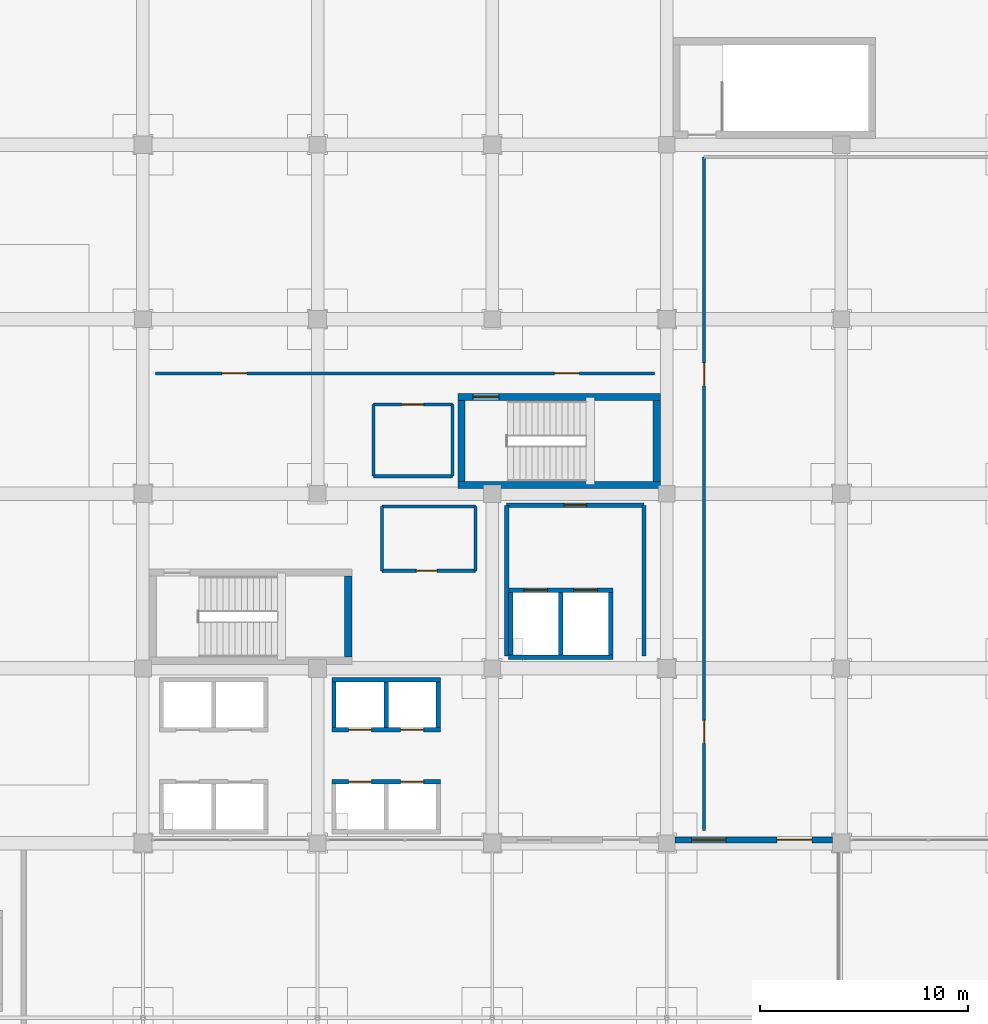
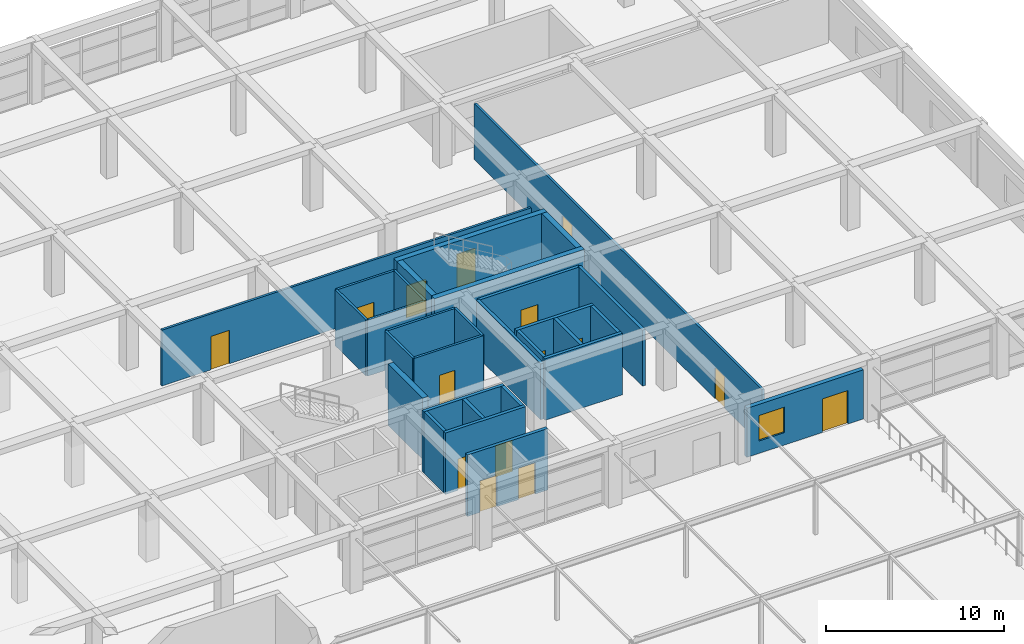
# One storey, part 79 of 85: 30 walls, 15 doors, 1 window, 16 openings.
"""IFC4 building model written with IfcOpenShell, lengths in metres."""

from ifc_helpers import new_model, si_unit, direction, frame, frame_2d, origin, place, context, subcontext, project, spatial, rectangle, extrude, material, layer, layer_set, type_object, element, fill, save


model = new_model("IFC4")

# Units and contexts
model_context = context("Model", 3, precision=1e-05, world=origin(), true_north=direction((0.0, 1.0)))
body_context = subcontext(model_context, "Body", "Model", "MODEL_VIEW")
ifc_project = project(units=[si_unit("LENGTHUNIT", "METRE"), si_unit("AREAUNIT", "SQUARE_METRE"), si_unit("VOLUMEUNIT", "CUBIC_METRE"), si_unit("PLANEANGLEUNIT", "RADIAN"), si_unit("MASSUNIT", "GRAM", prefix="KILO")], contexts=[model_context])

# Site, building, storey
site_placement = place(None, origin())
site = spatial("IfcSite", under=ifc_project, at=site_placement, CompositionType="ELEMENT")
building_placement = place(site_placement, origin())
building = spatial("IfcBuilding", under=site, at=building_placement, Name="Almacenes y Pasaje Nevantli", CompositionType="ELEMENT")
storey_placement = place(building_placement, frame((0.0, 0.0, 22.199951171875)))
storey = spatial("IfcBuildingStorey", under=building, at=storey_placement, Name="L05", CompositionType="ELEMENT", Elevation=22.199951171875)

# Wall, opening, door
ifc_material_1 = material(Name="Fire-Rated Concrete Blockwork", Category="masonry")
ifc_layer_1 = layer(ifc_material_1, 0.199951171875)
ifc_layer_set_1 = layer_set([ifc_layer_1], Name="Fire-Rated Concrete Blockwork")
wall_type_1 = type_object("IfcWallType", Name="WL-COMP-200", PredefinedType="PARTITIONING", material=ifc_layer_set_1)
wall_1_placement = place(storey_placement, frame((135.10009765625, 83.449951171875, 0.0), z_axis=(0.0, 0.0, 1.0), x_axis=(1.0, 0.0, 0.0)))
wall_1 = element("IfcWall", 1, at=wall_1_placement, inside=storey, type_object=wall_type_1, Name="L05 Interior Partition Wall IW-200 #96", PredefinedType="PARTITIONING", context=body_context, shape_type="SweptSolid", body=[
    extrude(rectangle(XDim=6.599853515625, YDim=0.199951171875, at=frame_2d((3.2998046875, 0.0))), origin(), (0.0, 0.0, 1.0), 3.840087890625),
])
opening_1_placement = place(wall_1_placement, frame((2.75, 0.0, 0.0)))
opening_1 = element("IfcOpeningElement", 2, at=opening_1_placement, cuts=wall_1, Name="Opening ID-L05-050", PredefinedType="OPENING", context=body_context, shape_type="SweptSolid", body=[
    extrude(rectangle(XDim=1.10009765625, YDim=2.199951171875, at=frame_2d((0.550048828125, 1.10009765625))), frame((0.0, 0.10986328125, 0.0), z_axis=(0.0, -1.0, 0.0), x_axis=(1.0, 0.0, 0.0)), (0.0, 0.0, 1.0), 0.219970703125),
])
ifc_material_2 = material(Name="Galvanized Fire-Rated Steel", Category="steel")
door_type_1 = type_object("IfcDoorType", Name="DR-FD90-1100R", OperationType="SINGLE_SWING_RIGHT", PredefinedType="DOOR", material=ifc_material_2)
door_1_placement = place(opening_1_placement, origin())
door_1 = element("IfcDoor", 3, at=door_1_placement, inside=storey, type_object=door_type_1, Name="L05 Firefighting Lobby Door", OperationType="SINGLE_SWING_RIGHT", OverallHeight=2.199951171875, OverallWidth=1.10009765625, PredefinedType="DOOR", context=body_context, shape_type="SweptSolid", body=[
    extrude(rectangle(XDim=1.10009765625, YDim=2.199951171875, at=frame_2d((0.550048828125, 1.10009765625))), frame((0.0, 0.02490234375, 0.0), z_axis=(0.0, -1.0, 0.0), x_axis=(1.0, 0.0, 0.0)), (0.0, 0.0, 1.0), 0.050048828125),
])
fill(opening_1, door_1)

# Walls
for number, where, z_axis, x_axis, name in (
    (4, (135.10009765625, 76.199951171875, 0.0), (0.0, 0.0, 1.0), (0.0, 1.0, 0.0), "L05 Interior Partition Wall IW-200 #97"),
    (5, (141.699951171875, 76.199951171875, 0.0), (0.0, 0.0, 1.0), (0.0, 1.0, 0.0), "L05 Interior Partition Wall IW-200 #98"),
):
    element("IfcWall", number, at=place(storey_placement, frame(where, z_axis=z_axis, x_axis=x_axis)), inside=storey, type_object=wall_type_1, Name=name, PredefinedType="PARTITIONING", context=body_context, shape_type="SweptSolid", body=[
        extrude(rectangle(XDim=7.25, YDim=0.199951171875, at=frame_2d((3.625, 0.0))), origin(), (0.0, 0.0, 1.0), 3.840087890625),
    ])
ifc_material_3 = material(Name="Concrete C45/55", Category="concrete")
ifc_layer_2 = layer(ifc_material_3, 0.35009765625)
ifc_layer_set_2 = layer_set([ifc_layer_2], Name="Concrete C45/55")
wall_type_2 = type_object("IfcWallType", Name="WL-CORE-350", PredefinedType="SHEAR", material=ifc_layer_set_2)
wall_2_placement = place(storey_placement, frame((127.47509765625, 76.14990234375, 0.0), z_axis=(0.0, 0.0, 1.0), x_axis=(0.0, 1.0, 0.0)))
element("IfcWall", 6, at=wall_2_placement, inside=storey, type_object=wall_type_2, Name="L05 Exit Stair ST-01 East Core Shear Wall", PredefinedType="SHEAR", context=body_context, shape_type="SweptSolid", body=[
    extrude(rectangle(XDim=3.89013671875, YDim=0.35009765625, at=frame_2d((1.945068359375, 0.0))), origin(), (0.0, 0.0, 1.0), 4.219970703125),
])
wall_3_placement = place(storey_placement, frame((132.75, 84.425048828125, 0.0), z_axis=(0.0, 0.0, 1.0), x_axis=(1.0, 0.0, 0.0)))
element("IfcWall", 7, at=wall_3_placement, inside=storey, type_object=wall_type_2, Name="L05 Exit Stair ST-02 South Core Shear Wall", PredefinedType="SHEAR", context=body_context, shape_type="SweptSolid", body=[
    extrude(rectangle(XDim=9.75, YDim=0.35009765625, at=frame_2d((4.875, 0.0))), origin(), (0.0, 0.0, 1.0), 4.219970703125),
])

# Wall, opening, door
wall_4_placement = place(storey_placement, frame((132.75, 88.6650390625, 0.0), z_axis=(0.0, 0.0, 1.0), x_axis=(1.0, 0.0, 0.0)))
wall_4 = element("IfcWall", 8, at=wall_4_placement, inside=storey, type_object=wall_type_2, Name="L05 Exit Stair ST-02 North Core Shear Wall", PredefinedType="SHEAR", context=body_context, shape_type="SweptSolid", body=[
    extrude(rectangle(XDim=9.75, YDim=0.35009765625, at=frame_2d((4.875, 0.0))), origin(), (0.0, 0.0, 1.0), 4.219970703125),
])
opening_2_placement = place(wall_4_placement, frame((0.719970703125, 0.0, 0.0)))
opening_2 = element("IfcOpeningElement", 9, at=opening_2_placement, cuts=wall_4, Name="Opening SD-02-L05", PredefinedType="OPENING", context=body_context, shape_type="SweptSolid", body=[
    extrude(rectangle(XDim=1.25, YDim=2.199951171875, at=frame_2d((0.625, 1.10009765625))), frame((0.0, 0.18505859375, 0.0), z_axis=(0.0, -1.0, 0.0), x_axis=(1.0, 0.0, 0.0)), (0.0, 0.0, 1.0), 0.3701171875),
])
ifc_material_4 = material(Name="Galvanized Fire-Rated Steel", Category="steel")
door_type_2 = type_object("IfcDoorType", Name="DR-STAIR-1250R", OperationType="SINGLE_SWING_RIGHT", PredefinedType="DOOR", material=ifc_material_4)
door_2_placement = place(opening_2_placement, origin())
door_2 = element("IfcDoor", 10, at=door_2_placement, inside=storey, type_object=door_type_2, Name="L05 Smokeproof Exit Stair ST-02 Fire Door", OperationType="SINGLE_SWING_RIGHT", OverallHeight=2.199951171875, OverallWidth=1.25, PredefinedType="DOOR", context=body_context, shape_type="SweptSolid", body=[
    extrude(rectangle(XDim=1.25, YDim=2.199951171875, at=frame_2d((0.625, 1.10009765625))), frame((0.0, 0.02490234375, 0.0), z_axis=(0.0, -1.0, 0.0), x_axis=(1.0, 0.0, 0.0)), (0.0, 0.0, 1.0), 0.050048828125),
])
fill(opening_2, door_2)

# Walls
for number, where, z_axis, x_axis, name in (
    (11, (132.925048828125, 84.60009765625, 0.0), (0.0, 0.0, 1.0), (0.0, 1.0, 0.0), "L05 Exit Stair ST-02 West Core Shear Wall"),
    (12, (142.324951171875, 84.60009765625, 0.0), (0.0, 0.0, 1.0), (0.0, 1.0, 0.0), "L05 Exit Stair ST-02 East Core Shear Wall"),
):
    element("IfcWall", number, at=place(storey_placement, frame(where, z_axis=z_axis, x_axis=x_axis)), inside=storey, type_object=wall_type_2, Name=name, PredefinedType="SHEAR", context=body_context, shape_type="SweptSolid", body=[
        extrude(rectangle(XDim=3.889892578125, YDim=0.35009765625, at=frame_2d((1.94482421875, 0.0))), origin(), (0.0, 0.0, 1.0), 4.219970703125),
    ])

# Wall, openings, door, window
ifc_material_5 = material(Name="Architectural Precast Concrete C35/45 Spandrel Wall", Category="concrete")
ifc_layer_3 = layer(ifc_material_5, 0.280029296875)
ifc_layer_set_3 = layer_set([ifc_layer_3], Name="Architectural Precast Concrete C35/45 Spandrel Wall")
wall_type_3 = type_object("IfcWallType", Name="WL-EXT-CANTERA-280", PredefinedType="SOLIDWALL", material=ifc_layer_set_3)
wall_5_placement = place(storey_placement, frame((143.2041015625, 67.35009765625, 0.0), z_axis=(0.0, 0.0, 1.0), x_axis=(1.0, 0.0, 0.0)))
wall_5 = element("IfcWall", 13, at=wall_5_placement, inside=storey, type_object=wall_type_3, Name="L05 Sky-Lobby South Terrace Access Wall Bay 18", PredefinedType="SOLIDWALL", context=body_context, shape_type="SweptSolid", body=[
    extrude(rectangle(XDim=7.56787109375, YDim=0.280029296875, at=frame_2d((3.783935546875, 0.0))), origin(), (0.0, 0.0, 1.0), 3.3701171875),
])
opening_3_placement = place(wall_5_placement, frame((0.7958984375, 0.0, 0.85009765625)))
opening_3 = element("IfcOpeningElement", 14, at=opening_3_placement, cuts=wall_5, Name="Opening WT-33-184", PredefinedType="OPENING", context=body_context, shape_type="SweptSolid", body=[
    extrude(rectangle(XDim=1.64990234375, YDim=1.75, at=frame_2d((0.824951171875, 0.875))), frame((0.0, 0.14990234375, 0.0), z_axis=(0.0, -1.0, 0.0), x_axis=(1.0, 0.0, 0.0)), (0.0, 0.0, 1.0), 0.300048828125),
])
opening_4_placement = place(wall_5_placement, frame((4.89599609375, 0.0, 0.0)))
opening_4 = element("IfcOpeningElement", 15, at=opening_4_placement, cuts=wall_5, Name="Opening ED-L05-039", PredefinedType="OPENING", context=body_context, shape_type="SweptSolid", body=[
    extrude(rectangle(XDim=1.679931640625, YDim=2.300048828125, at=frame_2d((0.83984375, 1.14990234375))), frame((0.0, 0.14990234375, 0.0), z_axis=(0.0, -1.0, 0.0), x_axis=(1.0, 0.0, 0.0)), (0.0, 0.0, 1.0), 0.300048828125),
])
ifc_material_6 = material(Name="Anodized Aluminium and Safety Glass", Category="aluminium")
door_type_3 = type_object("IfcDoorType", Name="DR-EXT-TER-1680", OperationType="DOUBLE_DOOR_SINGLE_SWING", PredefinedType="DOOR", material=ifc_material_6)
door_3_placement = place(opening_4_placement, origin())
door_3 = element("IfcDoor", 16, at=door_3_placement, inside=storey, type_object=door_type_3, Name="L05 Sky-Lobby to Ziggurat Roof Terrace Door #2", OperationType="DOUBLE_DOOR_SINGLE_SWING", OverallHeight=2.300048828125, OverallWidth=1.679931640625, PredefinedType="DOOR", context=body_context, shape_type="SweptSolid", body=[
    extrude(rectangle(XDim=1.679931640625, YDim=2.300048828125, at=frame_2d((0.83984375, 1.14990234375))), frame((0.0, 0.02490234375, 0.0), z_axis=(0.0, -1.0, 0.0), x_axis=(1.0, 0.0, 0.0)), (0.0, 0.0, 1.0), 0.050048828125),
])
fill(opening_4, door_3)
ifc_material_7 = material(Name="Thermally Broken Aluminium and Low-E Double Glazing", Category="aluminium")
window_type = type_object("IfcWindowType", Name="WN-TWR-1650x1750", PartitioningType="SINGLE_PANEL", PredefinedType="WINDOW", material=ifc_material_7)
window_placement = place(opening_3_placement, origin())
window = element("IfcWindow", 17, at=window_placement, inside=storey, type_object=window_type, Name="L05 Exterior Window WT-33 #184", OverallHeight=1.75, OverallWidth=1.64990234375, PartitioningType="SINGLE_PANEL", PredefinedType="WINDOW", context=body_context, shape_type="SweptSolid", body=[
    extrude(rectangle(XDim=1.64990234375, YDim=1.75, at=frame_2d((0.824951171875, 0.875))), frame((0.0, 0.030029296875, 0.0), z_axis=(0.0, -1.0, 0.0), x_axis=(1.0, 0.0, 0.0)), (0.0, 0.0, 1.0), 0.06005859375),
])
fill(opening_3, window)

# Wall, opening, door
ifc_material_8 = material(Name="Acoustic Steel-Stud Gypsum Partition", Category="steel")
ifc_layer_4 = layer(ifc_material_8, 0.14990234375)
ifc_layer_set_4 = layer_set([ifc_layer_4], Name="Acoustic Steel-Stud Gypsum Partition")
wall_type_4 = type_object("IfcWallType", Name="WL-PART-150", PredefinedType="PARTITIONING", material=ifc_layer_set_4)
wall_6_placement = place(storey_placement, frame((129.10009765625, 80.300048828125, 0.0), z_axis=(0.0, 0.0, 1.0), x_axis=(1.0, 0.0, 0.0)))
wall_6 = element("IfcWall", 18, at=wall_6_placement, inside=storey, type_object=wall_type_4, Name="L05 Interior Partition Wall IW-150 #99", PredefinedType="PARTITIONING", context=body_context, shape_type="SweptSolid", body=[
    extrude(rectangle(XDim=4.5, YDim=0.14990234375, at=frame_2d((2.25, 0.0))), origin(), (0.0, 0.0, 1.0), 3.840087890625),
])
opening_5_placement = place(wall_6_placement, frame((1.64990234375, 0.0, 0.0)))
opening_5 = element("IfcOpeningElement", 19, at=opening_5_placement, cuts=wall_6, Name="Opening ID-L05-051", PredefinedType="OPENING", context=body_context, shape_type="SweptSolid", body=[
    extrude(rectangle(XDim=1.0, YDim=2.10009765625, at=frame_2d((0.5, 1.050048828125))), frame((0.0, 0.0849609375, 0.0), z_axis=(0.0, -1.0, 0.0), x_axis=(1.0, 0.0, 0.0)), (0.0, 0.0, 1.0), 0.169921875),
])
ifc_material_9 = material(Name="Powder-Coated Hollow Metal", Category="steel")
door_type_4 = type_object("IfcDoorType", Name="DR-INT-1000", OperationType="SINGLE_SWING_LEFT", PredefinedType="DOOR", material=ifc_material_9)
door_4_placement = place(opening_5_placement, origin())
door_4 = element("IfcDoor", 20, at=door_4_placement, inside=storey, type_object=door_type_4, Name="L05 Staff and Public WC Door", OperationType="SINGLE_SWING_LEFT", OverallHeight=2.10009765625, OverallWidth=1.0, PredefinedType="DOOR", context=body_context, shape_type="SweptSolid", body=[
    extrude(rectangle(XDim=1.0, YDim=2.10009765625, at=frame_2d((0.5, 1.050048828125))), frame((0.0, 0.02490234375, 0.0), z_axis=(0.0, -1.0, 0.0), x_axis=(1.0, 0.0, 0.0)), (0.0, 0.0, 1.0), 0.050048828125),
])
fill(opening_5, door_4)

# Walls
wall_7_placement = place(storey_placement, frame((129.10009765625, 83.39990234375, 0.0), z_axis=(0.0, 0.0, 1.0), x_axis=(1.0, 0.0, 0.0)))
element("IfcWall", 21, at=wall_7_placement, inside=storey, type_object=wall_type_4, Name="L05 Interior Partition Wall IW-150 #100", PredefinedType="PARTITIONING", context=body_context, shape_type="SweptSolid", body=[
    extrude(rectangle(XDim=4.5, YDim=0.14990234375, at=frame_2d((2.25, 0.0))), origin(), (0.0, 0.0, 1.0), 3.840087890625),
])
for number, where, z_axis, x_axis, name in (
    (22, (129.10009765625, 80.300048828125, 0.0), (0.0, 0.0, 1.0), (0.0, 1.0, 0.0), "L05 Interior Partition Wall IW-150 #101"),
    (23, (133.60009765625, 80.300048828125, 0.0), (0.0, 0.0, 1.0), (0.0, 1.0, 0.0), "L05 Interior Partition Wall IW-150 #102"),
):
    element("IfcWall", number, at=place(storey_placement, frame(where, z_axis=z_axis, x_axis=x_axis)), inside=storey, type_object=wall_type_4, Name=name, PredefinedType="PARTITIONING", context=body_context, shape_type="SweptSolid", body=[
        extrude(rectangle(XDim=3.099853515625, YDim=0.14990234375, at=frame_2d((1.5498046875, 0.0))), origin(), (0.0, 0.0, 1.0), 3.840087890625),
    ])

# Wall, opening, door
wall_8_placement = place(storey_placement, frame((128.699951171875, 88.300048828125, 0.0), z_axis=(0.0, 0.0, 1.0), x_axis=(1.0, 0.0, 0.0)))
wall_8 = element("IfcWall", 24, at=wall_8_placement, inside=storey, type_object=wall_type_4, Name="L05 Interior Partition Wall IW-150 #103", PredefinedType="PARTITIONING", context=body_context, shape_type="SweptSolid", body=[
    extrude(rectangle(XDim=3.800048828125, YDim=0.14990234375, at=frame_2d((1.89990234375, 0.0))), origin(), (0.0, 0.0, 1.0), 3.840087890625),
])
opening_6_placement = place(wall_8_placement, frame((1.35009765625, 0.0, 0.0)))
opening_6 = element("IfcOpeningElement", 25, at=opening_6_placement, cuts=wall_8, Name="Opening ID-L05-052", PredefinedType="OPENING", context=body_context, shape_type="SweptSolid", body=[
    extrude(rectangle(XDim=1.050048828125, YDim=2.14990234375, at=frame_2d((0.52490234375, 1.074951171875))), frame((0.0, 0.0849609375, 0.0), z_axis=(0.0, -1.0, 0.0), x_axis=(1.0, 0.0, 0.0)), (0.0, 0.0, 1.0), 0.169921875),
])
ifc_material_10 = material(Name="Powder-Coated Hollow Metal", Category="steel")
door_type_5 = type_object("IfcDoorType", Name="DR-ACC-1050", OperationType="SINGLE_SWING_RIGHT", PredefinedType="DOOR", material=ifc_material_10)
door_5_placement = place(opening_6_placement, origin())
door_5 = element("IfcDoor", 26, at=door_5_placement, inside=storey, type_object=door_type_5, Name="L05 Accessible WC Door", OperationType="SINGLE_SWING_RIGHT", OverallHeight=2.14990234375, OverallWidth=1.050048828125, PredefinedType="DOOR", context=body_context, shape_type="SweptSolid", body=[
    extrude(rectangle(XDim=1.050048828125, YDim=2.14990234375, at=frame_2d((0.52490234375, 1.074951171875))), frame((0.0, 0.02490234375, 0.0), z_axis=(0.0, -1.0, 0.0), x_axis=(1.0, 0.0, 0.0)), (0.0, 0.0, 1.0), 0.050048828125),
])
fill(opening_6, door_5)

# Walls
wall_9_placement = place(storey_placement, frame((128.699951171875, 84.85009765625, 0.0), z_axis=(0.0, 0.0, 1.0), x_axis=(1.0, 0.0, 0.0)))
element("IfcWall", 27, at=wall_9_placement, inside=storey, type_object=wall_type_4, Name="L05 Interior Partition Wall IW-150 #104", PredefinedType="PARTITIONING", context=body_context, shape_type="SweptSolid", body=[
    extrude(rectangle(XDim=3.800048828125, YDim=0.14990234375, at=frame_2d((1.89990234375, 0.0))), origin(), (0.0, 0.0, 1.0), 3.840087890625),
])
for number, where, z_axis, x_axis, name in (
    (28, (128.699951171875, 84.85009765625, 0.0), (0.0, 0.0, 1.0), (0.0, 1.0, 0.0), "L05 Interior Partition Wall IW-150 #105"),
    (29, (132.5, 84.85009765625, 0.0), (0.0, 0.0, 1.0), (0.0, 1.0, 0.0), "L05 Interior Partition Wall IW-150 #106"),
):
    element("IfcWall", number, at=place(storey_placement, frame(where, z_axis=z_axis, x_axis=x_axis)), inside=storey, type_object=wall_type_4, Name=name, PredefinedType="PARTITIONING", context=body_context, shape_type="SweptSolid", body=[
        extrude(rectangle(XDim=3.449951171875, YDim=0.14990234375, at=frame_2d((1.72509765625, 0.0))), origin(), (0.0, 0.0, 1.0), 3.840087890625),
    ])

# Wall, openings, doors
wall_10_placement = place(storey_placement, frame((118.199951171875, 89.800048828125, 0.0), z_axis=(0.0, 0.0, 1.0), x_axis=(1.0, 0.0, 0.0)))
wall_10 = element("IfcWall", 30, at=wall_10_placement, inside=storey, type_object=wall_type_4, Name="L05 Interior Partition Wall IW-150 #110", PredefinedType="PARTITIONING", context=body_context, shape_type="SweptSolid", body=[
    extrude(rectangle(XDim=24.0, YDim=0.14990234375, at=frame_2d((12.0, 0.0))), origin(), (0.0, 0.0, 1.0), 3.840087890625),
])
opening_7_placement = place(wall_10_placement, frame((3.199951171875, 0.0, 0.0)))
opening_7 = element("IfcOpeningElement", 31, at=opening_7_placement, cuts=wall_10, Name="Opening ID-L05-057", PredefinedType="OPENING", context=body_context, shape_type="SweptSolid", body=[
    extrude(rectangle(XDim=1.199951171875, YDim=2.300048828125, at=frame_2d((0.60009765625, 1.14990234375))), frame((0.0, 0.0849609375, 0.0), z_axis=(0.0, -1.0, 0.0), x_axis=(1.0, 0.0, 0.0)), (0.0, 0.0, 1.0), 0.169921875),
])
opening_8_placement = place(wall_10_placement, frame((19.199951171875, 0.0, 0.0)))
opening_8 = element("IfcOpeningElement", 32, at=opening_8_placement, cuts=wall_10, Name="Opening ID-L05-058", PredefinedType="OPENING", context=body_context, shape_type="SweptSolid", body=[
    extrude(rectangle(XDim=1.199951171875, YDim=2.300048828125, at=frame_2d((0.60009765625, 1.14990234375))), frame((0.0, 0.0849609375, 0.0), z_axis=(0.0, -1.0, 0.0), x_axis=(1.0, 0.0, 0.0)), (0.0, 0.0, 1.0), 0.169921875),
])
ifc_material_11 = material(Name="Anodized Aluminium and Tempered Acoustic Glass", Category="aluminium")
door_type_6 = type_object("IfcDoorType", Name="DR-ACU-1200", OperationType="SINGLE_SWING_LEFT", PredefinedType="DOOR", material=ifc_material_11)
door_6_placement = place(opening_7_placement, origin())
door_6 = element("IfcDoor", 33, at=door_6_placement, inside=storey, type_object=door_type_6, Name="L05 Conference Xinantecatl Door 1", OperationType="SINGLE_SWING_LEFT", OverallHeight=2.300048828125, OverallWidth=1.199951171875, PredefinedType="DOOR", context=body_context, shape_type="SweptSolid", body=[
    extrude(rectangle(XDim=1.199951171875, YDim=2.300048828125, at=frame_2d((0.60009765625, 1.14990234375))), frame((0.0, 0.02490234375, 0.0), z_axis=(0.0, -1.0, 0.0), x_axis=(1.0, 0.0, 0.0)), (0.0, 0.0, 1.0), 0.050048828125),
])
fill(opening_7, door_6)
ifc_material_12 = material(Name="Anodized Aluminium and Tempered Acoustic Glass", Category="aluminium")
door_type_7 = type_object("IfcDoorType", Name="DR-ACU-1200R", OperationType="SINGLE_SWING_RIGHT", PredefinedType="DOOR", material=ifc_material_12)
door_7_placement = place(opening_8_placement, origin())
door_7 = element("IfcDoor", 34, at=door_7_placement, inside=storey, type_object=door_type_7, Name="L05 Conference Xinantecatl Door 2", OperationType="SINGLE_SWING_RIGHT", OverallHeight=2.300048828125, OverallWidth=1.199951171875, PredefinedType="DOOR", context=body_context, shape_type="SweptSolid", body=[
    extrude(rectangle(XDim=1.199951171875, YDim=2.300048828125, at=frame_2d((0.60009765625, 1.14990234375))), frame((0.0, 0.02490234375, 0.0), z_axis=(0.0, -1.0, 0.0), x_axis=(1.0, 0.0, 0.0)), (0.0, 0.0, 1.0), 0.050048828125),
])
fill(opening_8, door_7)

wall_11_placement = place(storey_placement, frame((144.60009765625, 67.800048828125, 0.0), z_axis=(0.0, 0.0, 1.0), x_axis=(0.0, 1.0, 0.0)))
wall_11 = element("IfcWall", 35, at=wall_11_placement, inside=storey, type_object=wall_type_4, Name="L05 Interior Partition Wall IW-150 #111", PredefinedType="PARTITIONING", context=body_context, shape_type="SweptSolid", body=[
    extrude(rectangle(XDim=32.39990234375, YDim=0.14990234375, at=frame_2d((16.199951171875, 0.0))), origin(), (0.0, 0.0, 1.0), 3.840087890625),
])
opening_9_placement = place(wall_11_placement, frame((4.199951171875, 0.0, 0.0)))
opening_9 = element("IfcOpeningElement", 36, at=opening_9_placement, cuts=wall_11, Name="Opening ID-L05-059", PredefinedType="OPENING", context=body_context, shape_type="SweptSolid", body=[
    extrude(rectangle(XDim=1.10009765625, YDim=2.14990234375, at=frame_2d((0.550048828125, 1.074951171875))), frame((0.0, 0.0849609375, 0.0), z_axis=(0.0, -1.0, 0.0), x_axis=(1.0, 0.0, 0.0)), (0.0, 0.0, 1.0), 0.169921875),
])
opening_10_placement = place(wall_11_placement, frame((21.39990234375, 0.0, 0.0)))
opening_10 = element("IfcOpeningElement", 37, at=opening_10_placement, cuts=wall_11, Name="Opening ID-L05-060", PredefinedType="OPENING", context=body_context, shape_type="SweptSolid", body=[
    extrude(rectangle(XDim=1.10009765625, YDim=2.14990234375, at=frame_2d((0.550048828125, 1.074951171875))), frame((0.0, 0.0849609375, 0.0), z_axis=(0.0, -1.0, 0.0), x_axis=(1.0, 0.0, 0.0)), (0.0, 0.0, 1.0), 0.169921875),
])
ifc_material_13 = material(Name="Powder-Coated Hollow Metal", Category="steel")
door_type_8 = type_object("IfcDoorType", Name="DR-INT-1100", OperationType="SINGLE_SWING_LEFT", PredefinedType="DOOR", material=ifc_material_13)
door_8_placement = place(opening_9_placement, origin())
door_8 = element("IfcDoor", 38, at=door_8_placement, inside=storey, type_object=door_type_8, Name="L05 Training Office South Door", OperationType="SINGLE_SWING_LEFT", OverallHeight=2.14990234375, OverallWidth=1.10009765625, PredefinedType="DOOR", context=body_context, shape_type="SweptSolid", body=[
    extrude(rectangle(XDim=1.10009765625, YDim=2.14990234375, at=frame_2d((0.550048828125, 1.074951171875))), frame((0.0, 0.02490234375, 0.0), z_axis=(0.0, -1.0, 0.0), x_axis=(1.0, 0.0, 0.0)), (0.0, 0.0, 1.0), 0.050048828125),
])
fill(opening_9, door_8)
ifc_material_14 = material(Name="Powder-Coated Hollow Metal", Category="steel")
door_type_9 = type_object("IfcDoorType", Name="DR-INT-1100R", OperationType="SINGLE_SWING_RIGHT", PredefinedType="DOOR", material=ifc_material_14)
door_9_placement = place(opening_10_placement, origin())
door_9 = element("IfcDoor", 39, at=door_9_placement, inside=storey, type_object=door_type_9, Name="L05 Training Office North Door", OperationType="SINGLE_SWING_RIGHT", OverallHeight=2.14990234375, OverallWidth=1.10009765625, PredefinedType="DOOR", context=body_context, shape_type="SweptSolid", body=[
    extrude(rectangle(XDim=1.10009765625, YDim=2.14990234375, at=frame_2d((0.550048828125, 1.074951171875))), frame((0.0, 0.02490234375, 0.0), z_axis=(0.0, -1.0, 0.0), x_axis=(1.0, 0.0, 0.0)), (0.0, 0.0, 1.0), 0.050048828125),
])
fill(opening_10, door_9)

ifc_material_15 = material(Name="Concrete C45/55", Category="concrete")
ifc_layer_5 = layer(ifc_material_15, 0.2099609375)
ifc_layer_set_5 = layer_set([ifc_layer_5], Name="Concrete C45/55")
wall_type_5 = type_object("IfcWallType", Name="WL-SHAFT-210", PredefinedType="SHEAR", material=ifc_layer_set_5)
wall_12_placement = place(storey_placement, frame((126.68994140625, 70.155029296875, 0.0), z_axis=(0.0, 0.0, 1.0), x_axis=(1.0, 0.0, 0.0)))
wall_12 = element("IfcWall", 40, at=wall_12_placement, inside=storey, type_object=wall_type_5, Name="L05 Lift Hoistway ELV-P01-ELV-P02 North Wall", PredefinedType="SHEAR", context=body_context, shape_type="SweptSolid", body=[
    extrude(rectangle(XDim=5.219970703125, YDim=0.2099609375, at=frame_2d((2.60986328125, 0.0))), origin(), (0.0, 0.0, 1.0), 4.219970703125),
])
opening_11_placement = place(wall_12_placement, frame((0.81005859375, 0.0, 0.0)))
opening_11 = element("IfcOpeningElement", 41, at=opening_11_placement, cuts=wall_12, Name="Opening LD-P01-L05", PredefinedType="OPENING", context=body_context, shape_type="SweptSolid", body=[
    extrude(rectangle(XDim=1.10009765625, YDim=2.14990234375, at=frame_2d((0.550048828125, 1.074951171875))), frame((0.0, 0.114990234375, 0.0), z_axis=(0.0, -1.0, 0.0), x_axis=(1.0, 0.0, 0.0)), (0.0, 0.0, 1.0), 0.22998046875),
])
opening_12_placement = place(wall_12_placement, frame((3.31005859375, 0.0, 0.0)))
opening_12 = element("IfcOpeningElement", 42, at=opening_12_placement, cuts=wall_12, Name="Opening LD-P02-L05", PredefinedType="OPENING", context=body_context, shape_type="SweptSolid", body=[
    extrude(rectangle(XDim=1.10009765625, YDim=2.14990234375, at=frame_2d((0.550048828125, 1.074951171875))), frame((0.0, 0.114990234375, 0.0), z_axis=(0.0, -1.0, 0.0), x_axis=(1.0, 0.0, 0.0)), (0.0, 0.0, 1.0), 0.22998046875),
])
ifc_material_16 = material(Name="Brushed Stainless Steel", Category="steel")
door_type_10 = type_object("IfcDoorType", Name="DR-LD-PASS-1100", OperationType="DOUBLE_DOOR_SLIDING", PredefinedType="DOOR", material=ifc_material_16)
door_10_placement = place(opening_11_placement, origin())
door_10 = element("IfcDoor", 43, at=door_10_placement, inside=storey, type_object=door_type_10, Name="Lift Landing Door ELV-P01 L05", OperationType="DOUBLE_DOOR_SLIDING", OverallHeight=2.14990234375, OverallWidth=1.10009765625, PredefinedType="DOOR", context=body_context, shape_type="SweptSolid", body=[
    extrude(rectangle(XDim=1.10009765625, YDim=2.14990234375, at=frame_2d((0.550048828125, 1.074951171875))), frame((0.0, 0.02490234375, 0.0), z_axis=(0.0, -1.0, 0.0), x_axis=(1.0, 0.0, 0.0)), (0.0, 0.0, 1.0), 0.050048828125),
])
fill(opening_11, door_10)
door_11_placement = place(opening_12_placement, origin())
door_11 = element("IfcDoor", 44, at=door_11_placement, inside=storey, type_object=door_type_10, Name="Lift Landing Door ELV-P02 L05", OperationType="DOUBLE_DOOR_SLIDING", OverallHeight=2.14990234375, OverallWidth=1.10009765625, PredefinedType="DOOR", context=body_context, shape_type="SweptSolid", body=[
    extrude(rectangle(XDim=1.10009765625, YDim=2.14990234375, at=frame_2d((0.550048828125, 1.074951171875))), frame((0.0, 0.02490234375, 0.0), z_axis=(0.0, -1.0, 0.0), x_axis=(1.0, 0.0, 0.0)), (0.0, 0.0, 1.0), 0.050048828125),
])
fill(opening_12, door_11)

wall_13_placement = place(storey_placement, frame((126.68994140625, 72.64501953125, 0.0), z_axis=(0.0, 0.0, 1.0), x_axis=(1.0, 0.0, 0.0)))
wall_13 = element("IfcWall", 45, at=wall_13_placement, inside=storey, type_object=wall_type_5, Name="L05 Lift Hoistway ELV-P03-ELV-P04 South Wall", PredefinedType="SHEAR", context=body_context, shape_type="SweptSolid", body=[
    extrude(rectangle(XDim=5.219970703125, YDim=0.2099609375, at=frame_2d((2.60986328125, 0.0))), origin(), (0.0, 0.0, 1.0), 4.219970703125),
])
opening_13_placement = place(wall_13_placement, frame((0.81005859375, 0.0, 0.0)))
opening_13 = element("IfcOpeningElement", 46, at=opening_13_placement, cuts=wall_13, Name="Opening LD-P03-L05", PredefinedType="OPENING", context=body_context, shape_type="SweptSolid", body=[
    extrude(rectangle(XDim=1.10009765625, YDim=2.14990234375, at=frame_2d((0.550048828125, 1.074951171875))), frame((0.0, 0.114990234375, 0.0), z_axis=(0.0, -1.0, 0.0), x_axis=(1.0, 0.0, 0.0)), (0.0, 0.0, 1.0), 0.22998046875),
])
opening_14_placement = place(wall_13_placement, frame((3.31005859375, 0.0, 0.0)))
opening_14 = element("IfcOpeningElement", 47, at=opening_14_placement, cuts=wall_13, Name="Opening LD-P04-L05", PredefinedType="OPENING", context=body_context, shape_type="SweptSolid", body=[
    extrude(rectangle(XDim=1.10009765625, YDim=2.14990234375, at=frame_2d((0.550048828125, 1.074951171875))), frame((0.0, 0.114990234375, 0.0), z_axis=(0.0, -1.0, 0.0), x_axis=(1.0, 0.0, 0.0)), (0.0, 0.0, 1.0), 0.22998046875),
])
door_12_placement = place(opening_13_placement, origin())
door_12 = element("IfcDoor", 48, at=door_12_placement, inside=storey, type_object=door_type_10, Name="Lift Landing Door ELV-P03 L05", OperationType="DOUBLE_DOOR_SLIDING", OverallHeight=2.14990234375, OverallWidth=1.10009765625, PredefinedType="DOOR", context=body_context, shape_type="SweptSolid", body=[
    extrude(rectangle(XDim=1.10009765625, YDim=2.14990234375, at=frame_2d((0.550048828125, 1.074951171875))), frame((0.0, 0.02490234375, 0.0), z_axis=(0.0, -1.0, 0.0), x_axis=(1.0, 0.0, 0.0)), (0.0, 0.0, 1.0), 0.050048828125),
])
fill(opening_13, door_12)
door_13_placement = place(opening_14_placement, origin())
door_13 = element("IfcDoor", 49, at=door_13_placement, inside=storey, type_object=door_type_10, Name="Lift Landing Door ELV-P04 L05", OperationType="DOUBLE_DOOR_SLIDING", OverallHeight=2.14990234375, OverallWidth=1.10009765625, PredefinedType="DOOR", context=body_context, shape_type="SweptSolid", body=[
    extrude(rectangle(XDim=1.10009765625, YDim=2.14990234375, at=frame_2d((0.550048828125, 1.074951171875))), frame((0.0, 0.02490234375, 0.0), z_axis=(0.0, -1.0, 0.0), x_axis=(1.0, 0.0, 0.0)), (0.0, 0.0, 1.0), 0.050048828125),
])
fill(opening_14, door_13)

# Walls
wall_14_placement = place(storey_placement, frame((126.68994140625, 75.054931640625, 0.0), z_axis=(0.0, 0.0, 1.0), x_axis=(1.0, 0.0, 0.0)))
element("IfcWall", 50, at=wall_14_placement, inside=storey, type_object=wall_type_5, Name="L05 Lift Hoistway ELV-P03-ELV-P04 North Wall", PredefinedType="SHEAR", context=body_context, shape_type="SweptSolid", body=[
    extrude(rectangle(XDim=5.219970703125, YDim=0.2099609375, at=frame_2d((2.60986328125, 0.0))), origin(), (0.0, 0.0, 1.0), 4.219970703125),
])
for number, where, z_axis, x_axis, name in (
    (51, (126.794921875, 72.75, 0.0), (0.0, 0.0, 1.0), (0.0, 1.0, 0.0), "L05 Lift Hoistway ELV-P03 West Wall"),
    (52, (131.804931640625, 72.75, 0.0), (0.0, 0.0, 1.0), (0.0, 1.0, 0.0), "L05 Lift Hoistway ELV-P04 East Wall"),
    (53, (129.300048828125, 72.75, 0.0), (0.0, 0.0, 1.0), (0.0, 1.0, 0.0), "L05 Lift Hoistway Divider Wall ELV-P03/ELV-P04"),
):
    element("IfcWall", number, at=place(storey_placement, frame(where, z_axis=z_axis, x_axis=x_axis)), inside=storey, type_object=wall_type_5, Name=name, PredefinedType="SHEAR", context=body_context, shape_type="SweptSolid", body=[
        extrude(rectangle(XDim=2.199951171875, YDim=0.2099609375, at=frame_2d((1.10009765625, 0.0))), origin(), (0.0, 0.0, 1.0), 4.219970703125),
    ])
wall_15_placement = place(storey_placement, frame((135.18994140625, 76.14501953125, 0.0), z_axis=(0.0, 0.0, 1.0), x_axis=(1.0, 0.0, 0.0)))
element("IfcWall", 54, at=wall_15_placement, inside=storey, type_object=wall_type_5, Name="L05 Lift Hoistway ELV-FF1-ELV-FF2 South Wall", PredefinedType="SHEAR", context=body_context, shape_type="SweptSolid", body=[
    extrude(rectangle(XDim=5.02001953125, YDim=0.2099609375, at=frame_2d((2.510009765625, 0.0))), origin(), (0.0, 0.0, 1.0), 4.219970703125),
])

# Wall, openings, doors
wall_16_placement = place(storey_placement, frame((135.18994140625, 79.35498046875, 0.0), z_axis=(0.0, 0.0, 1.0), x_axis=(1.0, 0.0, 0.0)))
wall_16 = element("IfcWall", 55, at=wall_16_placement, inside=storey, type_object=wall_type_5, Name="L05 Lift Hoistway ELV-FF1-ELV-FF2 North Wall", PredefinedType="SHEAR", context=body_context, shape_type="SweptSolid", body=[
    extrude(rectangle(XDim=5.02001953125, YDim=0.2099609375, at=frame_2d((2.510009765625, 0.0))), origin(), (0.0, 0.0, 1.0), 4.219970703125),
])
opening_15_placement = place(wall_16_placement, frame((0.735107421875, 0.0, 0.0)))
opening_15 = element("IfcOpeningElement", 56, at=opening_15_placement, cuts=wall_16, Name="Opening LD-FF1-L05", PredefinedType="OPENING", context=body_context, shape_type="SweptSolid", body=[
    extrude(rectangle(XDim=1.14990234375, YDim=2.199951171875, at=frame_2d((0.574951171875, 1.10009765625))), frame((0.0, 0.114990234375, 0.0), z_axis=(0.0, -1.0, 0.0), x_axis=(1.0, 0.0, 0.0)), (0.0, 0.0, 1.0), 0.22998046875),
])
opening_16_placement = place(wall_16_placement, frame((3.135009765625, 0.0, 0.0)))
opening_16 = element("IfcOpeningElement", 57, at=opening_16_placement, cuts=wall_16, Name="Opening LD-FF2-L05", PredefinedType="OPENING", context=body_context, shape_type="SweptSolid", body=[
    extrude(rectangle(XDim=1.14990234375, YDim=2.199951171875, at=frame_2d((0.574951171875, 1.10009765625))), frame((0.0, 0.114990234375, 0.0), z_axis=(0.0, -1.0, 0.0), x_axis=(1.0, 0.0, 0.0)), (0.0, 0.0, 1.0), 0.22998046875),
])
ifc_material_17 = material(Name="Fire-Rated Stainless Steel", Category="steel")
door_type_11 = type_object("IfcDoorType", Name="DR-LD-FF-1150", OperationType="DOUBLE_DOOR_SLIDING", PredefinedType="DOOR", material=ifc_material_17)
door_14_placement = place(opening_15_placement, origin())
door_14 = element("IfcDoor", 58, at=door_14_placement, inside=storey, type_object=door_type_11, Name="Lift Landing Door ELV-FF1 L05", OperationType="DOUBLE_DOOR_SLIDING", OverallHeight=2.199951171875, OverallWidth=1.14990234375, PredefinedType="DOOR", context=body_context, shape_type="SweptSolid", body=[
    extrude(rectangle(XDim=1.14990234375, YDim=2.199951171875, at=frame_2d((0.574951171875, 1.10009765625))), frame((0.0, 0.02490234375, 0.0), z_axis=(0.0, -1.0, 0.0), x_axis=(1.0, 0.0, 0.0)), (0.0, 0.0, 1.0), 0.050048828125),
])
fill(opening_15, door_14)
door_15_placement = place(opening_16_placement, origin())
door_15 = element("IfcDoor", 59, at=door_15_placement, inside=storey, type_object=door_type_11, Name="Lift Landing Door ELV-FF2 L05", OperationType="DOUBLE_DOOR_SLIDING", OverallHeight=2.199951171875, OverallWidth=1.14990234375, PredefinedType="DOOR", context=body_context, shape_type="SweptSolid", body=[
    extrude(rectangle(XDim=1.14990234375, YDim=2.199951171875, at=frame_2d((0.574951171875, 1.10009765625))), frame((0.0, 0.02490234375, 0.0), z_axis=(0.0, -1.0, 0.0), x_axis=(1.0, 0.0, 0.0)), (0.0, 0.0, 1.0), 0.050048828125),
])
fill(opening_16, door_15)

# Walls
for number, where, z_axis, x_axis, name in (
    (60, (135.294921875, 76.25, 0.0), (0.0, 0.0, 1.0), (0.0, 1.0, 0.0), "L05 Lift Hoistway ELV-FF1 West Wall"),
    (61, (140.10498046875, 76.25, 0.0), (0.0, 0.0, 1.0), (0.0, 1.0, 0.0), "L05 Lift Hoistway ELV-FF2 East Wall"),
    (62, (137.699951171875, 76.25, 0.0), (0.0, 0.0, 1.0), (0.0, 1.0, 0.0), "L05 Lift Hoistway Divider Wall ELV-FF1/ELV-FF2"),
):
    element("IfcWall", number, at=place(storey_placement, frame(where, z_axis=z_axis, x_axis=x_axis)), inside=storey, type_object=wall_type_5, Name=name, PredefinedType="SHEAR", context=body_context, shape_type="SweptSolid", body=[
        extrude(rectangle(XDim=3.0, YDim=0.2099609375, at=frame_2d((1.5, 0.0))), origin(), (0.0, 0.0, 1.0), 4.219970703125),
    ])

save(model, "model.ifc")
